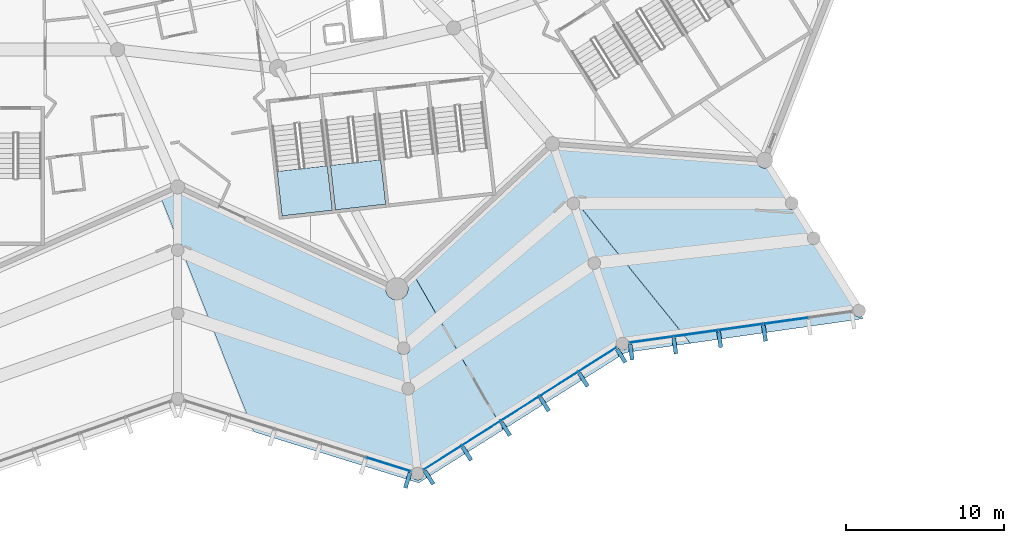
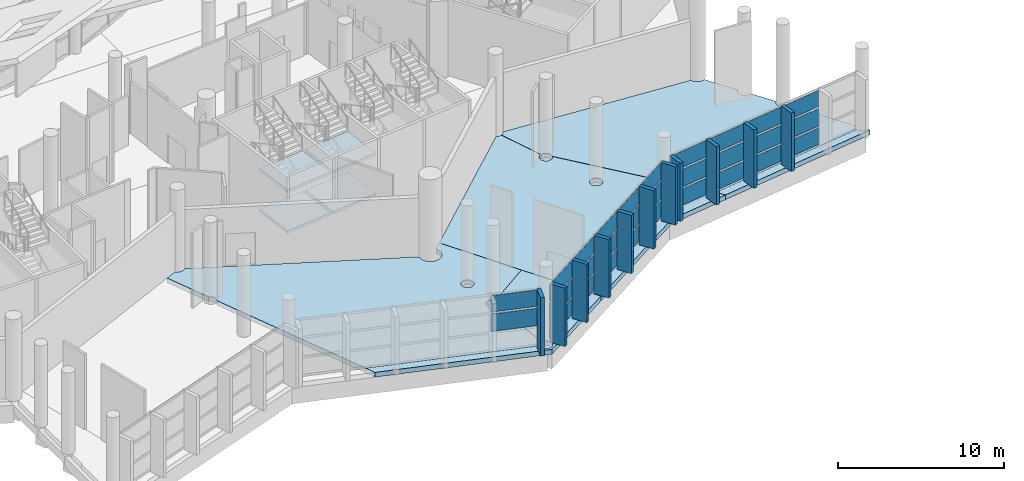
# One storey, part 108 of 249: 40 plates, 9 slabs, 5 elements without a shape of their own.
"""IFC4 building model written with IfcOpenShell, lengths in metres."""

from ifc_helpers import new_model, si_unit, direction, frame, origin, origin_2d, place, context, subcontext, project, spatial, polyline, rectangle, outline, extrude, material, layer, layer_set, type_object, element, aggregate, save


model = new_model("IFC4")

# Units and contexts
model_context = context("Model", 3, precision=1e-05, world=origin(), true_north=direction((0.0, 1.0)))
body_context = subcontext(model_context, "Body", "Model", "MODEL_VIEW")
ifc_project = project(units=[si_unit("LENGTHUNIT", "METRE"), si_unit("AREAUNIT", "SQUARE_METRE"), si_unit("VOLUMEUNIT", "CUBIC_METRE"), si_unit("PLANEANGLEUNIT", "RADIAN"), si_unit("MASSUNIT", "GRAM", prefix="KILO")], contexts=[model_context])

# Site, building, storey
site_placement = place(None, origin())
site = spatial("IfcSite", under=ifc_project, at=site_placement, CompositionType="ELEMENT")
building_placement = place(site_placement, origin())
building = spatial("IfcBuilding", under=site, at=building_placement, Name="Meseta Stadium", CompositionType="ELEMENT")
storey_placement = place(building_placement, frame((0.0, 0.0, 12.0)))
storey = spatial("IfcBuildingStorey", under=building, at=storey_placement, Name="L02", CompositionType="ELEMENT", Elevation=12.0)

# Slabs
ifc_material_1 = material(Name="Concrete C40/50", Category="concrete")
ifc_layer_1 = layer(ifc_material_1, 0.35009765625)
ifc_layer_set_1 = layer_set([ifc_layer_1], Name="Floor slab 350")
slab_type_1 = type_object("IfcSlabType", Name="Floor slab 350", PredefinedType="FLOOR", material=ifc_layer_set_1)
slab_1_placement = place(storey_placement, frame((0.0, 0.0, -0.35009765625)))
element("IfcSlab", 1, at=slab_1_placement, inside=storey, type_object=slab_type_1, Name="Ring floor slab L02 7 part 2 panel 01", PredefinedType="FLOOR", context=body_context, shape_type="SweptSolid", body=[
    extrude(outline(polyline([(51.496826171875, -105.0517578125), (51.51708984375, -104.898193359375), (38.65771484375, -98.91650390625), (38.654296875, -98.9208984375), (38.560302734375, -98.9931640625), (38.45068359375, -99.038330078125), (38.333251953125, -99.053955078125), (38.2158203125, -99.038330078125), (38.1064453125, -98.9931640625), (38.012451171875, -98.9208984375), (38.004150390625, -98.91015625), (37.25048828125, -99.244384765625), (38.427001953125, -102.208984375), (38.437744140625, -102.210205078125), (38.53515625, -102.25048828125), (38.61865234375, -102.314697265625), (38.6826171875, -102.398193359375), (38.722900390625, -102.49560546875), (38.73681640625, -102.60009765625), (38.722900390625, -102.704345703125), (38.6826171875, -102.8017578125), (38.669189453125, -102.8193359375), (42.87451171875, -113.4169921875), (53.13623046875, -116.618896484375), (53.170166015625, -116.53662109375), (53.234375, -116.453125), (53.31787109375, -116.388916015625), (53.415283203125, -116.3486328125), (53.474853515625, -116.3408203125), (52.959716796875, -111.77001953125), (52.9150390625, -111.77587890625), (52.810546875, -111.76220703125), (52.71337890625, -111.7216796875), (52.629638671875, -111.65771484375), (52.565673828125, -111.57421875), (52.525390625, -111.476806640625), (52.51171875, -111.372314453125), (52.525390625, -111.267822265625), (52.565673828125, -111.170654296875), (52.629638671875, -111.087158203125), (52.71337890625, -111.02294921875), (52.810546875, -110.982666015625), (52.9150390625, -110.968994140625), (53.019287109375, -110.982666015625), (53.11669921875, -111.02294921875), (53.2001953125, -111.087158203125), (53.247314453125, -111.148193359375), (56.162109375, -109.18115234375), (53.3017578125, -104.232666015625), (52.80908203125, -104.69189453125), (52.814208984375, -104.698486328125), (52.884765625, -104.868896484375), (52.908935546875, -105.0517578125), (52.884765625, -105.234375), (52.814208984375, -105.40478515625), (52.7021484375, -105.55078125), (52.555908203125, -105.6630859375), (52.385498046875, -105.733642578125), (52.202880859375, -105.7578125), (52.02001953125, -105.733642578125), (51.849853515625, -105.6630859375), (51.70361328125, -105.55078125), (51.59130859375, -105.40478515625), (51.520751953125, -105.234375), (51.496826171875, -105.0517578125)]), holes=[polyline([(52.827880859375, -108.458740234375), (52.911376953125, -108.52294921875), (52.9755859375, -108.6064453125), (53.015869140625, -108.703857421875), (53.029541015625, -108.80810546875), (53.015869140625, -108.91259765625), (52.9755859375, -109.010009765625), (52.911376953125, -109.093505859375), (52.827880859375, -109.15771484375), (52.73046875, -109.197998046875), (52.626220703125, -109.211669921875), (52.521728515625, -109.197998046875), (52.42431640625, -109.15771484375), (52.3408203125, -109.093505859375), (52.276611328125, -109.010009765625), (52.236328125, -108.91259765625), (52.22265625, -108.80810546875), (52.236328125, -108.703857421875), (52.276611328125, -108.6064453125), (52.3408203125, -108.52294921875), (52.42431640625, -108.458740234375), (52.521728515625, -108.41845703125), (52.626220703125, -108.40478515625), (52.73046875, -108.41845703125), (52.827880859375, -108.458740234375)])]), origin(), (0.0, 0.0, 1.0), 0.35009765625),
])
slab_2_placement = place(storey_placement, frame((0.0, 0.0, -0.35009765625)))
element("IfcSlab", 2, at=slab_2_placement, inside=storey, type_object=slab_type_1, Name="Ring floor slab L02 7 part 2 panel 02", PredefinedType="FLOOR", context=body_context, shape_type="SweptSolid", body=[
    extrude(outline(polyline([(53.13623046875, -116.618896484375), (42.87451171875, -113.4169921875), (43.142822265625, -114.093017578125), (53.5869140625, -117.334716796875), (58.92919921875, -113.96826171875), (56.162109375, -109.18115234375), (53.247314453125, -111.148193359375), (53.264404296875, -111.170654296875), (53.3046875, -111.267822265625), (53.318603515625, -111.372314453125), (53.3046875, -111.476806640625), (53.264404296875, -111.57421875), (53.2001953125, -111.65771484375), (53.11669921875, -111.7216796875), (53.019287109375, -111.76220703125), (52.959716796875, -111.77001953125), (53.474853515625, -116.3408203125), (53.51953125, -116.3349609375), (53.6240234375, -116.3486328125), (53.72119140625, -116.388916015625), (53.804931640625, -116.453125), (53.868896484375, -116.53662109375), (53.9091796875, -116.634033203125), (53.923095703125, -116.73828125), (53.9091796875, -116.8427734375), (53.868896484375, -116.940185546875), (53.804931640625, -117.023681640625), (53.72119140625, -117.087890625), (53.6240234375, -117.128173828125), (53.51953125, -117.141845703125), (53.415283203125, -117.128173828125), (53.31787109375, -117.087890625), (53.234375, -117.023681640625), (53.170166015625, -116.940185546875), (53.1298828125, -116.8427734375), (53.1162109375, -116.73828125), (53.1298828125, -116.634033203125), (53.13623046875, -116.618896484375)])), origin(), (0.0, 0.0, 1.0), 0.35009765625),
])
slab_3_placement = place(storey_placement, frame((0.0, 0.0, -0.35009765625)))
element("IfcSlab", 3, at=slab_3_placement, inside=storey, type_object=slab_type_1, Name="Ring floor slab L02 7 part 2 panel 03", PredefinedType="FLOOR", context=body_context, shape_type="SweptSolid", body=[
    extrude(outline(polyline([(63.372802734375, -100.0517578125), (63.268310546875, -100.0380859375), (63.1708984375, -99.997802734375), (63.08740234375, -99.93359375), (63.023193359375, -99.85009765625), (62.98291015625, -99.752685546875), (62.96923828125, -99.648193359375), (62.98291015625, -99.543701171875), (63.023193359375, -99.446533203125), (63.08740234375, -99.363037109375), (63.1708984375, -99.298828125), (63.240478515625, -99.270263671875), (62.200439453125, -96.298095703125), (62.1689453125, -96.31103515625), (62.051513671875, -96.32666015625), (61.93408203125, -96.31103515625), (61.842041015625, -96.27294921875), (53.3017578125, -104.232666015625), (58.92919921875, -113.96826171875), (66.675537109375, -109.087158203125), (70.776611328125, -108.501708984375), (63.74658203125, -99.790771484375), (63.72216796875, -99.85009765625), (63.657958984375, -99.93359375), (63.574462890625, -99.997802734375), (63.47705078125, -100.0380859375), (63.372802734375, -100.0517578125)]), holes=[polyline([(66.82666015625, -108.319091796875), (66.866943359375, -108.416259765625), (66.880859375, -108.520751953125), (66.866943359375, -108.625244140625), (66.82666015625, -108.722412109375), (66.7626953125, -108.805908203125), (66.678955078125, -108.8701171875), (66.581787109375, -108.910400390625), (66.477294921875, -108.92431640625), (66.372802734375, -108.910400390625), (66.275634765625, -108.8701171875), (66.19189453125, -108.805908203125), (66.1279296875, -108.722412109375), (66.087646484375, -108.625244140625), (66.073974609375, -108.520751953125), (66.087646484375, -108.416259765625), (66.1279296875, -108.319091796875), (66.19189453125, -108.235595703125), (66.275634765625, -108.17138671875), (66.372802734375, -108.131103515625), (66.477294921875, -108.1171875), (66.581787109375, -108.131103515625), (66.678955078125, -108.17138671875), (66.7626953125, -108.235595703125), (66.82666015625, -108.319091796875)]), polyline([(65.08349609375, -103.5283203125), (65.043212890625, -103.62548828125), (64.97900390625, -103.708984375), (64.8955078125, -103.773193359375), (64.798095703125, -103.8134765625), (64.69384765625, -103.8271484375), (64.58935546875, -103.8134765625), (64.4921875, -103.773193359375), (64.408447265625, -103.708984375), (64.344482421875, -103.62548828125), (64.30419921875, -103.5283203125), (64.290283203125, -103.423828125), (64.30419921875, -103.3193359375), (64.344482421875, -103.22216796875), (64.408447265625, -103.138427734375), (64.4921875, -103.074462890625), (64.58935546875, -103.0341796875), (64.69384765625, -103.020263671875), (64.798095703125, -103.0341796875), (64.8955078125, -103.074462890625), (64.97900390625, -103.138427734375), (65.043212890625, -103.22216796875), (65.08349609375, -103.3193359375), (65.09716796875, -103.423828125), (65.08349609375, -103.5283203125)])]), origin(), (0.0, 0.0, 1.0), 0.35009765625),
])
slab_4_placement = place(storey_placement, frame((0.0, 0.0, -0.35009765625)))
element("IfcSlab", 4, at=slab_4_placement, inside=storey, type_object=slab_type_1, Name="Ring floor slab L02 7 part 2 panel 04", PredefinedType="FLOOR", context=body_context, shape_type="SweptSolid", body=[
    extrude(outline(polyline([(81.104248046875, -106.222412109375), (81.16845703125, -106.138916015625), (81.205810546875, -106.110107421875), (78.75634765625, -102.212158203125), (78.68505859375, -102.24169921875), (78.580810546875, -102.25537109375), (78.476318359375, -102.24169921875), (78.37890625, -102.201416015625), (78.29541015625, -102.13720703125), (78.231201171875, -102.0537109375), (78.19091796875, -101.956298828125), (78.18310546875, -101.89697265625), (78.17724609375, -101.851806640625), (78.19091796875, -101.747314453125), (78.231201171875, -101.650146484375), (78.29541015625, -101.566650390625), (78.332763671875, -101.537841796875), (77.36279296875, -99.994384765625), (77.291748046875, -100.02392578125), (77.187255859375, -100.03759765625), (77.082763671875, -100.02392578125), (76.985595703125, -99.983642578125), (76.902099609375, -99.91943359375), (76.837890625, -99.8359375), (76.797607421875, -99.738525390625), (76.783935546875, -99.634521484375), (76.797607421875, -99.52978515625), (76.837890625, -99.4326171875), (76.902099609375, -99.348876953125), (76.939208984375, -99.3203125), (75.704345703125, -97.3544921875), (75.60498046875, -97.395751953125), (75.474609375, -97.412841796875), (75.343994140625, -97.395751953125), (75.222412109375, -97.34521484375), (75.117919921875, -97.26513671875), (75.037841796875, -97.16064453125), (74.9873046875, -97.0390625), (74.985107421875, -97.021240234375), (62.463134765625, -96.054931640625), (62.444580078125, -96.099609375), (62.37255859375, -96.193603515625), (62.278564453125, -96.265869140625), (62.21142578125, -96.29345703125), (62.211669921875, -96.294189453125), (63.25146484375, -99.265625), (63.268310546875, -99.258544921875), (63.372802734375, -99.244873046875), (63.47705078125, -99.258544921875), (63.574462890625, -99.298828125), (63.657958984375, -99.363037109375), (63.72216796875, -99.446533203125), (63.762451171875, -99.543701171875), (63.77587890625, -99.64794921875), (63.762451171875, -99.752685546875), (63.751220703125, -99.77978515625), (63.752197265625, -99.7802734375), (63.75341796875, -99.781005859375), (63.75439453125, -99.781494140625), (63.755126953125, -99.782470703125), (63.755859375, -99.783203125), (70.367919921875, -107.976318359375), (81.0576171875, -106.479736328125), (81.05029296875, -106.42431640625), (81.06396484375, -106.31982421875), (81.104248046875, -106.222412109375)])), origin(), (0.0, 0.0, 1.0), 0.35009765625),
])
slab_5_placement = place(storey_placement, frame((0.0, 0.0, -0.35009765625)))
element("IfcSlab", 5, at=slab_5_placement, inside=storey, type_object=slab_type_1, Name="Ring floor slab L02 7 part 2 panel 05", PredefinedType="FLOOR", context=body_context, shape_type="SweptSolid", body=[
    extrude(outline(polyline([(70.776611328125, -108.501708984375), (81.1044921875, -107.027587890625), (81.106201171875, -107.0263671875), (81.725830078125, -106.93798828125), (81.62939453125, -106.784423828125), (81.55810546875, -106.81396484375), (81.45361328125, -106.82763671875), (81.34912109375, -106.81396484375), (81.251953125, -106.773681640625), (81.16845703125, -106.70947265625), (81.104248046875, -106.6259765625), (81.06396484375, -106.528564453125), (81.0576171875, -106.479736328125), (70.35400390625, -107.97802734375), (70.776611328125, -108.501708984375)])), origin(), (0.0, 0.0, 1.0), 0.35009765625),
])

# Curtain wall, plates
ifc_material_2 = material(Name="Aluminium", Category="aluminium")
ifc_layer_2 = layer(ifc_material_2, 0.199951171875)
ifc_layer_set_2 = layer_set([ifc_layer_2], Name="Ring shopfront curtain wall")
curtain_wall_type = type_object("IfcCurtainWallType", Name="Ring shopfront curtain wall", PredefinedType="NOTDEFINED", material=ifc_layer_set_2)
curtain_wall_1_placement = place(storey_placement, origin())
curtain_wall_1 = element("IfcCurtainWall", 6, at=curtain_wall_1_placement, inside=storey, type_object=curtain_wall_type, Name="Ring glazing L02 F49", PredefinedType="NOTDEFINED")
ifc_material_3 = material(Name="Glass", Category="glass")
ifc_layer_3 = layer(ifc_material_3, 0.035888671875)
ifc_layer_set_3 = layer_set([ifc_layer_3], Name="Ring CW glass panel 36")
plate_type_1 = type_object("IfcPlateType", Name="Ring CW glass panel 36", PredefinedType="CURTAIN_PANEL", material=ifc_layer_set_3)
plate_1_placement = place(storey_placement, frame((51.68115234375, -116.164794921875, 1.50830078125), z_axis=(0.0, 0.0, 1.0), x_axis=(0.95460920309, -0.297861157885, 0.0)))
plate_1 = element("IfcPlate", 7, at=plate_1_placement, type_object=plate_type_1, Name="CWR1 panel 5.2", PredefinedType="CURTAIN_PANEL", context=body_context, shape_type="SweptSolid", body=[
    extrude(rectangle(XDim=2.931640625, YDim=0.035888671875, at=origin_2d()), origin(), (0.0, 0.0, 1.0), 1.283447265625),
])
plate_2_placement = place(storey_placement, frame((51.68115234375, -116.164794921875, 2.94189453125), z_axis=(0.0, 0.0, 1.0), x_axis=(0.95460920309, -0.297861157885, 0.0)))
plate_2 = element("IfcPlate", 8, at=plate_2_placement, type_object=plate_type_1, Name="CWR1 panel 5.3", PredefinedType="CURTAIN_PANEL", context=body_context, shape_type="SweptSolid", body=[
    extrude(rectangle(XDim=2.931640625, YDim=0.035888671875, at=origin_2d()), origin(), (0.0, 0.0, 1.0), 1.208251953125),
])
aggregate(curtain_wall_1, [plate_1, plate_2])

curtain_wall_2_placement = place(storey_placement, origin())
curtain_wall_2 = element("IfcCurtainWall", 9, at=curtain_wall_2_placement, inside=storey, type_object=curtain_wall_type, Name="Ring glazing L02 F50", PredefinedType="NOTDEFINED")
plate_3_placement = place(storey_placement, frame((55.098388671875, -115.7373046875, 0.14990234375), z_axis=(0.0, 0.0, 1.0), x_axis=(0.844491436677, 0.535569055659, 0.0)))
plate_3 = element("IfcPlate", 10, at=plate_3_placement, type_object=plate_type_1, Name="CWR1 panel 1.1", PredefinedType="CURTAIN_PANEL", context=body_context, shape_type="SweptSolid", body=[
    extrude(rectangle(XDim=2.81884765625, YDim=0.035888671875, at=origin_2d()), origin(), (0.0, 0.0, 1.0), 1.208251953125),
])
plate_4_placement = place(storey_placement, frame((55.098388671875, -115.7373046875, 1.50830078125), z_axis=(0.0, 0.0, 1.0), x_axis=(0.844491436677, 0.535569055659, 0.0)))
plate_4 = element("IfcPlate", 11, at=plate_4_placement, type_object=plate_type_1, Name="CWR1 panel 1.2", PredefinedType="CURTAIN_PANEL", context=body_context, shape_type="SweptSolid", body=[
    extrude(rectangle(XDim=2.81884765625, YDim=0.035888671875, at=origin_2d()), origin(), (0.0, 0.0, 1.0), 1.283447265625),
])
plate_5_placement = place(storey_placement, frame((55.098388671875, -115.7373046875, 2.94189453125), z_axis=(0.0, 0.0, 1.0), x_axis=(0.844491436677, 0.535569055659, 0.0)))
plate_5 = element("IfcPlate", 12, at=plate_5_placement, type_object=plate_type_1, Name="CWR1 panel 1.3", PredefinedType="CURTAIN_PANEL", context=body_context, shape_type="SweptSolid", body=[
    extrude(rectangle(XDim=2.81884765625, YDim=0.035888671875, at=origin_2d()), origin(), (0.0, 0.0, 1.0), 1.208251953125),
])
plate_6_placement = place(storey_placement, frame((57.5419921875, -114.1875, 0.14990234375), z_axis=(0.0, 0.0, 1.0), x_axis=(0.844491436677, 0.535569055659, 0.0)))
plate_6 = element("IfcPlate", 13, at=plate_6_placement, type_object=plate_type_1, Name="CWR1 panel 2.1", PredefinedType="CURTAIN_PANEL", context=body_context, shape_type="SweptSolid", body=[
    extrude(rectangle(XDim=2.848876953125, YDim=0.035888671875, at=origin_2d()), origin(), (0.0, 0.0, 1.0), 1.208251953125),
])
plate_7_placement = place(storey_placement, frame((57.5419921875, -114.1875, 1.50830078125), z_axis=(0.0, 0.0, 1.0), x_axis=(0.844491436677, 0.535569055659, 0.0)))
plate_7 = element("IfcPlate", 14, at=plate_7_placement, type_object=plate_type_1, Name="CWR1 panel 2.2", PredefinedType="CURTAIN_PANEL", context=body_context, shape_type="SweptSolid", body=[
    extrude(rectangle(XDim=2.848876953125, YDim=0.035888671875, at=origin_2d()), origin(), (0.0, 0.0, 1.0), 1.283447265625),
])
plate_8_placement = place(storey_placement, frame((57.5419921875, -114.1875, 2.94189453125), z_axis=(0.0, 0.0, 1.0), x_axis=(0.844491436677, 0.535569055659, 0.0)))
plate_8 = element("IfcPlate", 15, at=plate_8_placement, type_object=plate_type_1, Name="CWR1 panel 2.3", PredefinedType="CURTAIN_PANEL", context=body_context, shape_type="SweptSolid", body=[
    extrude(rectangle(XDim=2.848876953125, YDim=0.035888671875, at=origin_2d()), origin(), (0.0, 0.0, 1.0), 1.208251953125),
])
plate_9_placement = place(storey_placement, frame((59.99853515625, -112.629638671875, 0.14990234375), z_axis=(0.0, 0.0, 1.0), x_axis=(0.844491436677, 0.535569055659, 0.0)))
plate_9 = element("IfcPlate", 16, at=plate_9_placement, type_object=plate_type_1, Name="CWR1 panel 3.1", PredefinedType="CURTAIN_PANEL", context=body_context, shape_type="SweptSolid", body=[
    extrude(rectangle(XDim=2.848876953125, YDim=0.035888671875, at=origin_2d()), origin(), (0.0, 0.0, 1.0), 1.208251953125),
])
plate_10_placement = place(storey_placement, frame((59.99853515625, -112.629638671875, 1.50830078125), z_axis=(0.0, 0.0, 1.0), x_axis=(0.844491436677, 0.535569055659, 0.0)))
plate_10 = element("IfcPlate", 17, at=plate_10_placement, type_object=plate_type_1, Name="CWR1 panel 3.2", PredefinedType="CURTAIN_PANEL", context=body_context, shape_type="SweptSolid", body=[
    extrude(rectangle(XDim=2.848876953125, YDim=0.035888671875, at=origin_2d()), origin(), (0.0, 0.0, 1.0), 1.283447265625),
])
plate_11_placement = place(storey_placement, frame((59.99853515625, -112.629638671875, 2.94189453125), z_axis=(0.0, 0.0, 1.0), x_axis=(0.844491436677, 0.535569055659, 0.0)))
plate_11 = element("IfcPlate", 18, at=plate_11_placement, type_object=plate_type_1, Name="CWR1 panel 3.3", PredefinedType="CURTAIN_PANEL", context=body_context, shape_type="SweptSolid", body=[
    extrude(rectangle(XDim=2.848876953125, YDim=0.035888671875, at=origin_2d()), origin(), (0.0, 0.0, 1.0), 1.208251953125),
])
plate_12_placement = place(storey_placement, frame((62.454833984375, -111.07177734375, 0.14990234375), z_axis=(0.0, 0.0, 1.0), x_axis=(0.844491436677, 0.535569055659, 0.0)))
plate_12 = element("IfcPlate", 19, at=plate_12_placement, type_object=plate_type_1, Name="CWR1 panel 4.1", PredefinedType="CURTAIN_PANEL", context=body_context, shape_type="SweptSolid", body=[
    extrude(rectangle(XDim=2.848876953125, YDim=0.035888671875, at=origin_2d()), origin(), (0.0, 0.0, 1.0), 1.208251953125),
])
plate_13_placement = place(storey_placement, frame((62.454833984375, -111.07177734375, 1.50830078125), z_axis=(0.0, 0.0, 1.0), x_axis=(0.844491436677, 0.535569055659, 0.0)))
plate_13 = element("IfcPlate", 20, at=plate_13_placement, type_object=plate_type_1, Name="CWR1 panel 4.2", PredefinedType="CURTAIN_PANEL", context=body_context, shape_type="SweptSolid", body=[
    extrude(rectangle(XDim=2.848876953125, YDim=0.035888671875, at=origin_2d()), origin(), (0.0, 0.0, 1.0), 1.283447265625),
])
plate_14_placement = place(storey_placement, frame((62.454833984375, -111.07177734375, 2.94189453125), z_axis=(0.0, 0.0, 1.0), x_axis=(0.844491436677, 0.535569055659, 0.0)))
plate_14 = element("IfcPlate", 21, at=plate_14_placement, type_object=plate_type_1, Name="CWR1 panel 4.3", PredefinedType="CURTAIN_PANEL", context=body_context, shape_type="SweptSolid", body=[
    extrude(rectangle(XDim=2.848876953125, YDim=0.035888671875, at=origin_2d()), origin(), (0.0, 0.0, 1.0), 1.208251953125),
])
plate_15_placement = place(storey_placement, frame((64.898681640625, -109.52197265625, 0.14990234375), z_axis=(0.0, 0.0, 1.0), x_axis=(0.844491436677, 0.535569055659, 0.0)))
plate_15 = element("IfcPlate", 22, at=plate_15_placement, type_object=plate_type_1, Name="CWR1 panel 5.1", PredefinedType="CURTAIN_PANEL", context=body_context, shape_type="SweptSolid", body=[
    extrude(rectangle(XDim=2.81884765625, YDim=0.035888671875, at=origin_2d()), origin(), (0.0, 0.0, 1.0), 1.208251953125),
])
plate_16_placement = place(storey_placement, frame((64.898681640625, -109.52197265625, 1.50830078125), z_axis=(0.0, 0.0, 1.0), x_axis=(0.844491436677, 0.535569055659, 0.0)))
plate_16 = element("IfcPlate", 23, at=plate_16_placement, type_object=plate_type_1, Name="CWR1 panel 5.2", PredefinedType="CURTAIN_PANEL", context=body_context, shape_type="SweptSolid", body=[
    extrude(rectangle(XDim=2.81884765625, YDim=0.035888671875, at=origin_2d()), origin(), (0.0, 0.0, 1.0), 1.283447265625),
])
plate_17_placement = place(storey_placement, frame((64.898681640625, -109.52197265625, 2.94189453125), z_axis=(0.0, 0.0, 1.0), x_axis=(0.844491436677, 0.535569055659, 0.0)))
plate_17 = element("IfcPlate", 24, at=plate_17_placement, type_object=plate_type_1, Name="CWR1 panel 5.3", PredefinedType="CURTAIN_PANEL", context=body_context, shape_type="SweptSolid", body=[
    extrude(rectangle(XDim=2.81884765625, YDim=0.035888671875, at=origin_2d()), origin(), (0.0, 0.0, 1.0), 1.208251953125),
])
aggregate(curtain_wall_2, [plate_3, plate_4, plate_5, plate_6, plate_7, plate_8, plate_9, plate_10, plate_11, plate_12, plate_13, plate_14, plate_15, plate_16, plate_17])

curtain_wall_3_placement = place(storey_placement, origin())
curtain_wall_3 = element("IfcCurtainWall", 25, at=curtain_wall_3_placement, inside=storey, type_object=curtain_wall_type, Name="Ring glazing L02 F51", PredefinedType="NOTDEFINED")
plate_18_placement = place(storey_placement, frame((68.306640625, -108.2646484375, 0.14990234375), z_axis=(0.0, 0.0, 1.0), x_axis=(0.990342456098, 0.13864277713, 0.0)))
plate_18 = element("IfcPlate", 26, at=plate_18_placement, type_object=plate_type_1, Name="CWR1 panel 1.1", PredefinedType="CURTAIN_PANEL", context=body_context, shape_type="SweptSolid", body=[
    extrude(rectangle(XDim=2.7744140625, YDim=0.035888671875, at=origin_2d()), origin(), (0.0, 0.0, 1.0), 1.208251953125),
])
plate_19_placement = place(storey_placement, frame((68.306640625, -108.2646484375, 1.50830078125), z_axis=(0.0, 0.0, 1.0), x_axis=(0.990342456098, 0.13864277713, 0.0)))
plate_19 = element("IfcPlate", 27, at=plate_19_placement, type_object=plate_type_1, Name="CWR1 panel 1.2", PredefinedType="CURTAIN_PANEL", context=body_context, shape_type="SweptSolid", body=[
    extrude(rectangle(XDim=2.7744140625, YDim=0.035888671875, at=origin_2d()), origin(), (0.0, 0.0, 1.0), 1.283447265625),
])
plate_20_placement = place(storey_placement, frame((68.306640625, -108.2646484375, 2.94189453125), z_axis=(0.0, 0.0, 1.0), x_axis=(0.990342456098, 0.13864277713, 0.0)))
plate_20 = element("IfcPlate", 28, at=plate_20_placement, type_object=plate_type_1, Name="CWR1 panel 1.3", PredefinedType="CURTAIN_PANEL", context=body_context, shape_type="SweptSolid", body=[
    extrude(rectangle(XDim=2.7744140625, YDim=0.035888671875, at=origin_2d()), origin(), (0.0, 0.0, 1.0), 1.208251953125),
])
plate_21_placement = place(storey_placement, frame((71.128662109375, -107.86962890625, 0.14990234375), z_axis=(0.0, 0.0, 1.0), x_axis=(0.990342456098, 0.13864277713, 0.0)))
plate_21 = element("IfcPlate", 29, at=plate_21_placement, type_object=plate_type_1, Name="CWR1 panel 2.1", PredefinedType="CURTAIN_PANEL", context=body_context, shape_type="SweptSolid", body=[
    extrude(rectangle(XDim=2.804443359375, YDim=0.035888671875, at=origin_2d()), origin(), (0.0, 0.0, 1.0), 1.208251953125),
])
plate_22_placement = place(storey_placement, frame((71.128662109375, -107.86962890625, 1.50830078125), z_axis=(0.0, 0.0, 1.0), x_axis=(0.990342456098, 0.13864277713, 0.0)))
plate_22 = element("IfcPlate", 30, at=plate_22_placement, type_object=plate_type_1, Name="CWR1 panel 2.2", PredefinedType="CURTAIN_PANEL", context=body_context, shape_type="SweptSolid", body=[
    extrude(rectangle(XDim=2.804443359375, YDim=0.035888671875, at=origin_2d()), origin(), (0.0, 0.0, 1.0), 1.283447265625),
])
plate_23_placement = place(storey_placement, frame((71.128662109375, -107.86962890625, 2.94189453125), z_axis=(0.0, 0.0, 1.0), x_axis=(0.990342456098, 0.13864277713, 0.0)))
plate_23 = element("IfcPlate", 31, at=plate_23_placement, type_object=plate_type_1, Name="CWR1 panel 2.3", PredefinedType="CURTAIN_PANEL", context=body_context, shape_type="SweptSolid", body=[
    extrude(rectangle(XDim=2.804443359375, YDim=0.035888671875, at=origin_2d()), origin(), (0.0, 0.0, 1.0), 1.208251953125),
])
plate_24_placement = place(storey_placement, frame((73.96533203125, -107.472412109375, 0.14990234375), z_axis=(0.0, 0.0, 1.0), x_axis=(0.990342456098, 0.13864277713, 0.0)))
plate_24 = element("IfcPlate", 32, at=plate_24_placement, type_object=plate_type_1, Name="CWR1 panel 3.1", PredefinedType="CURTAIN_PANEL", context=body_context, shape_type="SweptSolid", body=[
    extrude(rectangle(XDim=2.804443359375, YDim=0.035888671875, at=origin_2d()), origin(), (0.0, 0.0, 1.0), 1.208251953125),
])
plate_25_placement = place(storey_placement, frame((73.96533203125, -107.472412109375, 1.50830078125), z_axis=(0.0, 0.0, 1.0), x_axis=(0.990342456098, 0.13864277713, 0.0)))
plate_25 = element("IfcPlate", 33, at=plate_25_placement, type_object=plate_type_1, Name="CWR1 panel 3.2", PredefinedType="CURTAIN_PANEL", context=body_context, shape_type="SweptSolid", body=[
    extrude(rectangle(XDim=2.804443359375, YDim=0.035888671875, at=origin_2d()), origin(), (0.0, 0.0, 1.0), 1.283447265625),
])
plate_26_placement = place(storey_placement, frame((73.96533203125, -107.472412109375, 2.94189453125), z_axis=(0.0, 0.0, 1.0), x_axis=(0.990342456098, 0.13864277713, 0.0)))
plate_26 = element("IfcPlate", 34, at=plate_26_placement, type_object=plate_type_1, Name="CWR1 panel 3.3", PredefinedType="CURTAIN_PANEL", context=body_context, shape_type="SweptSolid", body=[
    extrude(rectangle(XDim=2.804443359375, YDim=0.035888671875, at=origin_2d()), origin(), (0.0, 0.0, 1.0), 1.208251953125),
])
plate_27_placement = place(storey_placement, frame((76.80224609375, -107.0751953125, 0.14990234375), z_axis=(0.0, 0.0, 1.0), x_axis=(0.990342456098, 0.13864277713, 0.0)))
plate_27 = element("IfcPlate", 35, at=plate_27_placement, type_object=plate_type_1, Name="CWR1 panel 4.1", PredefinedType="CURTAIN_PANEL", context=body_context, shape_type="SweptSolid", body=[
    extrude(rectangle(XDim=2.804443359375, YDim=0.035888671875, at=origin_2d()), origin(), (0.0, 0.0, 1.0), 1.208251953125),
])
plate_28_placement = place(storey_placement, frame((76.80224609375, -107.0751953125, 1.50830078125), z_axis=(0.0, 0.0, 1.0), x_axis=(0.990342456098, 0.13864277713, 0.0)))
plate_28 = element("IfcPlate", 36, at=plate_28_placement, type_object=plate_type_1, Name="CWR1 panel 4.2", PredefinedType="CURTAIN_PANEL", context=body_context, shape_type="SweptSolid", body=[
    extrude(rectangle(XDim=2.804443359375, YDim=0.035888671875, at=origin_2d()), origin(), (0.0, 0.0, 1.0), 1.283447265625),
])
plate_29_placement = place(storey_placement, frame((76.80224609375, -107.0751953125, 2.94189453125), z_axis=(0.0, 0.0, 1.0), x_axis=(0.990342456098, 0.13864277713, 0.0)))
plate_29 = element("IfcPlate", 37, at=plate_29_placement, type_object=plate_type_1, Name="CWR1 panel 4.3", PredefinedType="CURTAIN_PANEL", context=body_context, shape_type="SweptSolid", body=[
    extrude(rectangle(XDim=2.804443359375, YDim=0.035888671875, at=origin_2d()), origin(), (0.0, 0.0, 1.0), 1.208251953125),
])
aggregate(curtain_wall_3, [plate_18, plate_19, plate_20, plate_21, plate_22, plate_23, plate_24, plate_25, plate_26, plate_27, plate_28, plate_29])

# Plates
ifc_material_4 = material(Name="Precast concrete C40/50", Category="concrete")
ifc_layer_4 = layer(ifc_material_4, 0.25)
ifc_layer_set_4 = layer_set([ifc_layer_4], Name="Ring brise-soleil fin 250x1000")
plate_type_2 = type_object("IfcPlateType", Name="Ring brise-soleil fin 250x1000", PredefinedType="USERDEFINED", material=ifc_layer_set_4)
for number, where, z_axis, x_axis, name in (
    (38, (52.887451171875, -117.169677734375, 0.0), (0.0, 0.0, 1.0), (0.954610682122, -0.297856417723, 0.0), "Brise-soleil fin L02 F49.6"),
    (39, (54.2421875, -116.99072265625, 0.0), (0.0, 0.0, 1.0), (0.844491545098, 0.5355688847, 0.0), "Brise-soleil fin L02 F50.1"),
    (40, (56.63525390625, -115.472900390625, 0.0), (0.0, 0.0, 1.0), (0.844491545098, 0.5355688847, 0.0), "Brise-soleil fin L02 F50.2"),
    (41, (59.091552734375, -113.915283203125, 0.0), (0.0, 0.0, 1.0), (0.844491545098, 0.5355688847, 0.0), "Brise-soleil fin L02 F50.3"),
    (42, (61.548095703125, -112.357421875, 0.0), (0.0, 0.0, 1.0), (0.844491545098, 0.5355688847, 0.0), "Brise-soleil fin L02 F50.4"),
    (43, (64.00439453125, -110.799560546875, 0.0), (0.0, 0.0, 1.0), (0.844491545098, 0.5355688847, 0.0), "Brise-soleil fin L02 F50.5"),
    (44, (66.3974609375, -109.281982421875, 0.0), (0.0, 0.0, 1.0), (0.844491545098, 0.5355688847, 0.0), "Brise-soleil fin L02 F50.6"),
    (45, (67.031005859375, -109.049072265625, 0.0), (0.0, 0.0, 1.0), (0.990342739746, 0.138640750978, 0.0), "Brise-soleil fin L02 F51.1"),
    (46, (69.79345703125, -108.662353515625, 0.0), (0.0, 0.0, 1.0), (0.990342739746, 0.138640750978, 0.0), "Brise-soleil fin L02 F51.2"),
    (47, (72.63037109375, -108.26513671875, 0.0), (0.0, 0.0, 1.0), (0.990342739746, 0.138640750978, 0.0), "Brise-soleil fin L02 F51.3"),
    (48, (75.467041015625, -107.8681640625, 0.0), (0.0, 0.0, 1.0), (0.990342739746, 0.138640750978, 0.0), "Brise-soleil fin L02 F51.4"),
):
    element("IfcPlate", number, at=place(storey_placement, frame(where, z_axis=z_axis, x_axis=x_axis)), inside=storey, type_object=plate_type_2, Name=name, ObjectType="FIN", PredefinedType="USERDEFINED", context=body_context, shape_type="SweptSolid", body=[
        extrude(rectangle(XDim=0.25, YDim=1.0, at=origin_2d()), origin(), (0.0, 0.0, 1.0), 4.300048828125),
    ])

# Stair, slabs
ifc_material_5 = material(Name="Concrete C40/50", Category="concrete")
stair_type = type_object("IfcStairType", Name="Exit stair 4 flights 150 mm risers", PredefinedType="HALF_TURN_STAIR", material=ifc_material_5)
stair_1_placement = place(storey_placement, origin())
stair_1 = element("IfcStair", 49, at=stair_1_placement, inside=storey, type_object=stair_type, Name="ST101 L02", PredefinedType="HALF_TURN_STAIR")
ifc_material_6 = material(Name="Concrete C40/50", Category="concrete")
ifc_layer_5 = layer(ifc_material_6, 0.199951171875)
ifc_layer_set_5 = layer_set([ifc_layer_5], Name="Stair landing 200")
slab_type_2 = type_object("IfcSlabType", Name="Stair landing 200", PredefinedType="LANDING", material=ifc_layer_set_5)
slab_6_placement = place(storey_placement, frame((0.0, 0.0, 1.300048828125)))
slab_6 = element("IfcSlab", 50, at=slab_6_placement, type_object=slab_type_2, Name="ST101 L02 landing 1", PredefinedType="LANDING", context=body_context, shape_type="SweptSolid", body=[
    extrude(outline(polyline([(44.62353515625, -97.62353515625), (44.9404296875, -100.435791015625), (48.1201171875, -100.077392578125), (47.803466796875, -97.265380859375), (44.62353515625, -97.62353515625)])), origin(), (0.0, 0.0, 1.0), 0.199951171875),
])
slab_7_placement = place(storey_placement, frame((0.0, 0.0, 4.300048828125)))
slab_7 = element("IfcSlab", 51, at=slab_7_placement, type_object=slab_type_2, Name="ST101 L02 landing 3", PredefinedType="LANDING", context=body_context, shape_type="SweptSolid", body=[
    extrude(outline(polyline([(44.62353515625, -97.62353515625), (44.9404296875, -100.435791015625), (48.1201171875, -100.077392578125), (47.803466796875, -97.265380859375), (44.62353515625, -97.62353515625)])), origin(), (0.0, 0.0, 1.0), 0.199951171875),
])
aggregate(stair_1, [slab_6, slab_7])

stair_2_placement = place(storey_placement, origin())
stair_2 = element("IfcStair", 52, at=stair_2_placement, inside=storey, type_object=stair_type, Name="ST102 L02", PredefinedType="HALF_TURN_STAIR")
slab_8_placement = place(storey_placement, frame((0.0, 0.0, 1.300048828125)))
slab_8 = element("IfcSlab", 53, at=slab_8_placement, type_object=slab_type_2, Name="ST102 L02 landing 1", PredefinedType="LANDING", context=body_context, shape_type="SweptSolid", body=[
    extrude(outline(polyline([(48.002197265625, -97.242919921875), (48.319091796875, -100.05517578125), (51.498779296875, -99.69677734375), (51.181884765625, -96.884521484375), (48.002197265625, -97.242919921875)])), origin(), (0.0, 0.0, 1.0), 0.199951171875),
])
slab_9_placement = place(storey_placement, frame((0.0, 0.0, 4.300048828125)))
slab_9 = element("IfcSlab", 54, at=slab_9_placement, type_object=slab_type_2, Name="ST102 L02 landing 3", PredefinedType="LANDING", context=body_context, shape_type="SweptSolid", body=[
    extrude(outline(polyline([(48.002197265625, -97.242919921875), (48.319091796875, -100.05517578125), (51.498779296875, -99.69677734375), (51.181884765625, -96.884521484375), (48.002197265625, -97.242919921875)])), origin(), (0.0, 0.0, 1.0), 0.199951171875),
])
aggregate(stair_2, [slab_8, slab_9])

save(model, "model.ifc")
